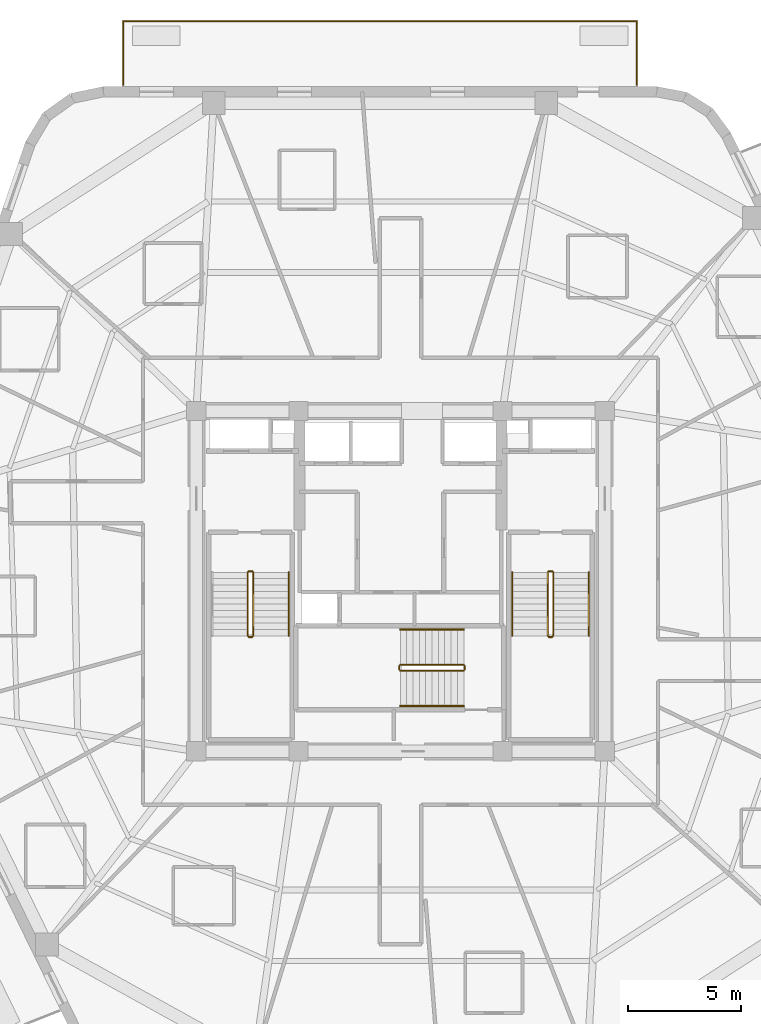
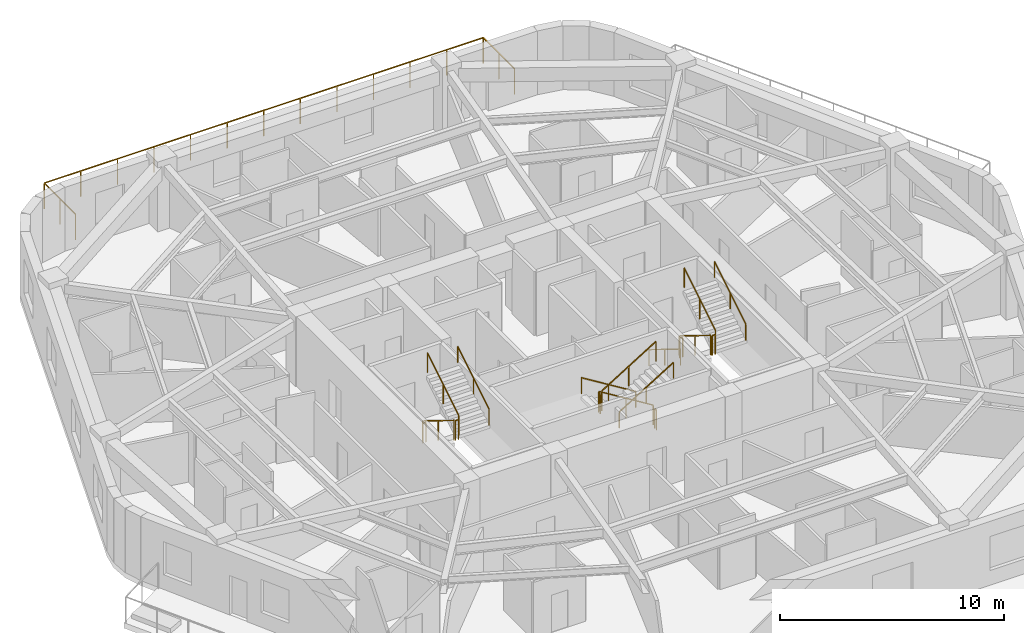
# One storey, part 9 of 10: 18 railings.
"""IFC4 building model written with IfcOpenShell, lengths in metres."""

from ifc_helpers import new_model, si_unit, direction, frame, origin, origin_2d, place, context, subcontext, project, spatial, rectangle, extrude, material, layer, layer_set, type_object, element, save


model = new_model("IFC4")

# Units and contexts
model_context = context("Model", 3, precision=1e-05, world=origin(), true_north=direction((0.0, 1.0)))
body_context = subcontext(model_context, "Body", "Model", "MODEL_VIEW")
ifc_project = project(units=[si_unit("LENGTHUNIT", "METRE"), si_unit("AREAUNIT", "SQUARE_METRE"), si_unit("VOLUMEUNIT", "CUBIC_METRE"), si_unit("PLANEANGLEUNIT", "RADIAN"), si_unit("MASSUNIT", "GRAM", prefix="KILO")], contexts=[model_context])

# Site, building, storey
site_placement = place(None, origin())
site = spatial("IfcSite", under=ifc_project, at=site_placement, CompositionType="ELEMENT")
building_placement = place(site_placement, origin())
building = spatial("IfcBuilding", under=site, at=building_placement, Name="Kilnhurst Terrace Hotel", CompositionType="ELEMENT")
storey_placement = place(building_placement, frame((0.0, 0.0, 252.10009765625)))
storey = spatial("IfcBuildingStorey", under=building, at=storey_placement, Name="L63", CompositionType="ELEMENT", Elevation=252.10009765625)

# Railings
ifc_material_1 = material(Name="Laminated SentryGlas and Stainless Steel AISI 316L Balustrade", Category="steel")
ifc_layer_1 = layer(ifc_material_1, 0.070068359375, Name="Laminated SentryGlas and Stainless Steel AISI 316L Balustrade")
ifc_layer_set_1 = layer_set([ifc_layer_1], Name="Laminated SentryGlas and Stainless Steel AISI 316L Balustrade")
railing_type_1 = type_object("IfcRailingType", Name="RLG-BAL-1420", PredefinedType="BALUSTRADE", material=ifc_layer_set_1)
railing_1_placement = place(storey_placement, frame((-12.21484375, 21.8798828125, 0.0)))
element("IfcRailing", 1, at=railing_1_placement, inside=storey, type_object=railing_type_1, Name="L63 Exterior Terrace Guardrail BAL-L1B.1", PredefinedType="BALUSTRADE", context=body_context, shape_type="SweptSolid", body=[
    extrude(rectangle(XDim=0.048095703125, YDim=0.048095703125, at=origin_2d()), frame((0.0, 0.0, 1.39599609375), z_axis=(0.0, 1.0, 0.0), x_axis=(-1.0, 0.0, 0.0)), (0.0, 0.0, 1.0), 2.800048828125),
    extrude(rectangle(XDim=0.048095703125, YDim=0.048095703125, at=origin_2d()), frame((0.0, 2.800048828125, 1.39599609375), z_axis=(1.0, 0.0, 0.0), x_axis=(0.0, 1.0, 0.0)), (0.0, 0.0, 1.0), 22.62353515625),
    extrude(rectangle(XDim=0.048095703125, YDim=0.048095703125, at=origin_2d()), frame((22.62353515625, 2.800048828125, 1.39599609375), z_axis=(0.0, -1.0, 0.0), x_axis=(1.0, 0.0, 0.0)), (0.0, 0.0, 1.0), 2.800048828125),
    extrude(rectangle(XDim=0.0419921875, YDim=0.0419921875, at=origin_2d()), origin(), (0.0, 0.0, 1.0), 1.371826171875),
    extrude(rectangle(XDim=0.0419921875, YDim=0.0419921875, at=origin_2d()), frame((0.0, 1.39990234375, 0.0)), (0.0, 0.0, 1.0), 1.371826171875),
    extrude(rectangle(XDim=0.0419921875, YDim=0.0419921875, at=origin_2d()), frame((0.0, 2.800048828125, 0.0)), (0.0, 0.0, 1.0), 1.371826171875),
    extrude(rectangle(XDim=0.0419921875, YDim=0.0419921875, at=origin_2d()), frame((1.88525390625, 2.800048828125, 0.0)), (0.0, 0.0, 1.0), 1.371826171875),
    extrude(rectangle(XDim=0.0419921875, YDim=0.0419921875, at=origin_2d()), frame((3.7705078125, 2.800048828125, 0.0)), (0.0, 0.0, 1.0), 1.371826171875),
    extrude(rectangle(XDim=0.0419921875, YDim=0.0419921875, at=origin_2d()), frame((5.65576171875, 2.800048828125, 0.0)), (0.0, 0.0, 1.0), 1.371826171875),
    extrude(rectangle(XDim=0.0419921875, YDim=0.0419921875, at=origin_2d()), frame((7.541259765625, 2.800048828125, 0.0)), (0.0, 0.0, 1.0), 1.371826171875),
    extrude(rectangle(XDim=0.0419921875, YDim=0.0419921875, at=origin_2d()), frame((9.426513671875, 2.800048828125, 0.0)), (0.0, 0.0, 1.0), 1.371826171875),
    extrude(rectangle(XDim=0.0419921875, YDim=0.0419921875, at=origin_2d()), frame((11.311767578125, 2.800048828125, 0.0)), (0.0, 0.0, 1.0), 1.371826171875),
    extrude(rectangle(XDim=0.0419921875, YDim=0.0419921875, at=origin_2d()), frame((13.197021484375, 2.800048828125, 0.0)), (0.0, 0.0, 1.0), 1.371826171875),
    extrude(rectangle(XDim=0.0419921875, YDim=0.0419921875, at=origin_2d()), frame((15.082275390625, 2.800048828125, 0.0)), (0.0, 0.0, 1.0), 1.371826171875),
    extrude(rectangle(XDim=0.0419921875, YDim=0.0419921875, at=origin_2d()), frame((16.9677734375, 2.800048828125, 0.0)), (0.0, 0.0, 1.0), 1.371826171875),
    extrude(rectangle(XDim=0.0419921875, YDim=0.0419921875, at=origin_2d()), frame((18.85302734375, 2.800048828125, 0.0)), (0.0, 0.0, 1.0), 1.371826171875),
    extrude(rectangle(XDim=0.0419921875, YDim=0.0419921875, at=origin_2d()), frame((20.73828125, 2.800048828125, 0.0)), (0.0, 0.0, 1.0), 1.371826171875),
    extrude(rectangle(XDim=0.0419921875, YDim=0.0419921875, at=origin_2d()), frame((22.62353515625, 2.800048828125, 0.0)), (0.0, 0.0, 1.0), 1.371826171875),
    extrude(rectangle(XDim=0.0419921875, YDim=0.0419921875, at=origin_2d()), frame((22.62353515625, 1.39990234375, 0.0)), (0.0, 0.0, 1.0), 1.371826171875),
    extrude(rectangle(XDim=0.0419921875, YDim=0.0419921875, at=origin_2d()), frame((22.62353515625, 0.0, 0.0)), (0.0, 0.0, 1.0), 1.371826171875),
])
ifc_material_2 = material(Name="Powder-Coated Steel ASTM A500 Grade B", Category="steel")
ifc_layer_2 = layer(ifc_material_2, 0.050048828125, Name="Powder-Coated Steel ASTM A500 Grade B")
ifc_layer_set_2 = layer_set([ifc_layer_2], Name="Powder-Coated Steel ASTM A500 Grade B")
railing_type_2 = type_object("IfcRailingType", Name="RLG-ST-GRD-1100", PredefinedType="GUARDRAIL", material=ifc_layer_set_2)
railing_2_placement = place(storey_placement, frame((-6.739990234375, 0.389892578125, 0.172607421875)))
element("IfcRailing", 2, at=railing_2_placement, inside=storey, type_object=railing_type_2, Name="L63 ST-1 stair guard 1", PredefinedType="GUARDRAIL", context=body_context, shape_type="SweptSolid", body=[
    extrude(rectangle(XDim=0.048095703125, YDim=0.048095703125, at=origin_2d()), frame((0.0, 0.0, 1.076171875), z_axis=(0.0, -0.851069175582, 0.525053576669), x_axis=(1.0, 0.0, 0.0)), (0.0, 0.0, 1.0), 3.289794921875),
    extrude(rectangle(XDim=0.0419921875, YDim=0.0419921875, at=origin_2d()), origin(), (0.0, 0.0, 1.0), 1.052001953125),
    extrude(rectangle(XDim=0.0419921875, YDim=0.0419921875, at=origin_2d()), frame((0.0, -1.39990234375, 0.86376953125)), (0.0, 0.0, 1.0), 1.052001953125),
    extrude(rectangle(XDim=0.0419921875, YDim=0.0419921875, at=origin_2d()), frame((0.0, -2.7998046875, 1.727294921875)), (0.0, 0.0, 1.0), 1.052001953125),
])
railing_3_placement = place(storey_placement, frame((-6.68994140625, -2.4599609375, 1.89990234375)))
element("IfcRailing", 3, at=railing_3_placement, inside=storey, type_object=railing_type_2, Name="L63 ST-1 stair guard 2", PredefinedType="GUARDRAIL", context=body_context, shape_type="SweptSolid", body=[
    extrude(rectangle(XDim=0.048095703125, YDim=0.048095703125, at=origin_2d()), frame((0.0, 0.0, 1.076171875), z_axis=(1.0, 0.0, 0.0), x_axis=(0.0, 1.0, 0.0)), (0.0, 0.0, 1.0), 0.14990234375),
    extrude(rectangle(XDim=0.0419921875, YDim=0.0419921875, at=origin_2d()), origin(), (0.0, 0.0, 1.0), 1.052001953125),
    extrude(rectangle(XDim=0.0419921875, YDim=0.0419921875, at=origin_2d()), frame((0.14990234375, 0.0, 0.0)), (0.0, 0.0, 1.0), 1.052001953125),
])
railing_4_placement = place(storey_placement, frame((-6.489990234375, -2.409912109375, 2.072509765625)))
element("IfcRailing", 4, at=railing_4_placement, inside=storey, type_object=railing_type_2, Name="L63 ST-1 stair guard 3", PredefinedType="GUARDRAIL", context=body_context, shape_type="SweptSolid", body=[
    extrude(rectangle(XDim=0.048095703125, YDim=0.048095703125, at=origin_2d()), frame((0.0, 0.0, 1.076171875), z_axis=(0.0, 0.851069175582, 0.525053576669), x_axis=(-1.0, 0.0, 0.0)), (0.0, 0.0, 1.0), 3.289794921875),
    extrude(rectangle(XDim=0.0419921875, YDim=0.0419921875, at=origin_2d()), origin(), (0.0, 0.0, 1.0), 1.052001953125),
    extrude(rectangle(XDim=0.0419921875, YDim=0.0419921875, at=origin_2d()), frame((0.0, 1.39990234375, 0.86376953125)), (0.0, 0.0, 1.0), 1.052001953125),
    extrude(rectangle(XDim=0.0419921875, YDim=0.0419921875, at=origin_2d()), frame((0.0, 2.7998046875, 1.727294921875)), (0.0, 0.0, 1.0), 1.052001953125),
])
railing_5_placement = place(storey_placement, frame((-6.68994140625, 0.43994140625, 0.0)))
element("IfcRailing", 5, at=railing_5_placement, inside=storey, type_object=railing_type_2, Name="L63 ST-1 stair guard 4", PredefinedType="GUARDRAIL", context=body_context, shape_type="SweptSolid", body=[
    extrude(rectangle(XDim=0.048095703125, YDim=0.048095703125, at=origin_2d()), frame((0.0, 0.0, 1.076171875), z_axis=(1.0, 0.0, 0.0), x_axis=(0.0, 1.0, 0.0)), (0.0, 0.0, 1.0), 0.14990234375),
    extrude(rectangle(XDim=0.0419921875, YDim=0.0419921875, at=origin_2d()), origin(), (0.0, 0.0, 1.0), 1.052001953125),
    extrude(rectangle(XDim=0.0419921875, YDim=0.0419921875, at=origin_2d()), frame((0.14990234375, 0.0, 0.0)), (0.0, 0.0, 1.0), 1.052001953125),
])
railing_6_placement = place(storey_placement, frame((6.489990234375, 0.389892578125, 0.172607421875)))
element("IfcRailing", 6, at=railing_6_placement, inside=storey, type_object=railing_type_2, Name="L63 ST-2 stair guard 1", PredefinedType="GUARDRAIL", context=body_context, shape_type="SweptSolid", body=[
    extrude(rectangle(XDim=0.048095703125, YDim=0.048095703125, at=origin_2d()), frame((0.0, 0.0, 1.076171875), z_axis=(0.0, -0.851069175582, 0.525053576669), x_axis=(1.0, 0.0, 0.0)), (0.0, 0.0, 1.0), 3.289794921875),
    extrude(rectangle(XDim=0.0419921875, YDim=0.0419921875, at=origin_2d()), origin(), (0.0, 0.0, 1.0), 1.052001953125),
    extrude(rectangle(XDim=0.0419921875, YDim=0.0419921875, at=origin_2d()), frame((0.0, -1.39990234375, 0.86376953125)), (0.0, 0.0, 1.0), 1.052001953125),
    extrude(rectangle(XDim=0.0419921875, YDim=0.0419921875, at=origin_2d()), frame((0.0, -2.7998046875, 1.727294921875)), (0.0, 0.0, 1.0), 1.052001953125),
])
railing_7_placement = place(storey_placement, frame((6.5400390625, -2.4599609375, 1.89990234375)))
element("IfcRailing", 7, at=railing_7_placement, inside=storey, type_object=railing_type_2, Name="L63 ST-2 stair guard 2", PredefinedType="GUARDRAIL", context=body_context, shape_type="SweptSolid", body=[
    extrude(rectangle(XDim=0.048095703125, YDim=0.048095703125, at=origin_2d()), frame((0.0, 0.0, 1.076171875), z_axis=(1.0, 0.0, 0.0), x_axis=(0.0, 1.0, 0.0)), (0.0, 0.0, 1.0), 0.14990234375),
    extrude(rectangle(XDim=0.0419921875, YDim=0.0419921875, at=origin_2d()), origin(), (0.0, 0.0, 1.0), 1.052001953125),
    extrude(rectangle(XDim=0.0419921875, YDim=0.0419921875, at=origin_2d()), frame((0.14990234375, 0.0, 0.0)), (0.0, 0.0, 1.0), 1.052001953125),
])
railing_8_placement = place(storey_placement, frame((6.739990234375, -2.409912109375, 2.072509765625)))
element("IfcRailing", 8, at=railing_8_placement, inside=storey, type_object=railing_type_2, Name="L63 ST-2 stair guard 3", PredefinedType="GUARDRAIL", context=body_context, shape_type="SweptSolid", body=[
    extrude(rectangle(XDim=0.048095703125, YDim=0.048095703125, at=origin_2d()), frame((0.0, 0.0, 1.076171875), z_axis=(0.0, 0.851069175582, 0.525053576669), x_axis=(-1.0, 0.0, 0.0)), (0.0, 0.0, 1.0), 3.289794921875),
    extrude(rectangle(XDim=0.0419921875, YDim=0.0419921875, at=origin_2d()), origin(), (0.0, 0.0, 1.0), 1.052001953125),
    extrude(rectangle(XDim=0.0419921875, YDim=0.0419921875, at=origin_2d()), frame((0.0, 1.39990234375, 0.86376953125)), (0.0, 0.0, 1.0), 1.052001953125),
    extrude(rectangle(XDim=0.0419921875, YDim=0.0419921875, at=origin_2d()), frame((0.0, 2.7998046875, 1.727294921875)), (0.0, 0.0, 1.0), 1.052001953125),
])
railing_9_placement = place(storey_placement, frame((6.5400390625, 0.43994140625, 0.0)))
element("IfcRailing", 9, at=railing_9_placement, inside=storey, type_object=railing_type_2, Name="L63 ST-2 stair guard 4", PredefinedType="GUARDRAIL", context=body_context, shape_type="SweptSolid", body=[
    extrude(rectangle(XDim=0.048095703125, YDim=0.048095703125, at=origin_2d()), frame((0.0, 0.0, 1.076171875), z_axis=(1.0, 0.0, 0.0), x_axis=(0.0, 1.0, 0.0)), (0.0, 0.0, 1.0), 0.14990234375),
    extrude(rectangle(XDim=0.0419921875, YDim=0.0419921875, at=origin_2d()), origin(), (0.0, 0.0, 1.0), 1.052001953125),
    extrude(rectangle(XDim=0.0419921875, YDim=0.0419921875, at=origin_2d()), frame((0.14990234375, 0.0, 0.0)), (0.0, 0.0, 1.0), 1.052001953125),
])
railing_10_placement = place(storey_placement, frame((2.7900390625, -3.68994140625, 0.172607421875)))
element("IfcRailing", 10, at=railing_10_placement, inside=storey, type_object=railing_type_2, Name="L63 ST-3 stair guard 1", PredefinedType="GUARDRAIL", context=body_context, shape_type="SweptSolid", body=[
    extrude(rectangle(XDim=0.048095703125, YDim=0.048095703125, at=origin_2d()), frame((0.0, 0.0, 1.076171875), z_axis=(-0.851089632645, 0.0, 0.525020415988), x_axis=(0.0, -1.0, 0.0)), (0.0, 0.0, 1.0), 3.2900390625),
    extrude(rectangle(XDim=0.0419921875, YDim=0.0419921875, at=origin_2d()), origin(), (0.0, 0.0, 1.0), 1.052001953125),
    extrude(rectangle(XDim=0.0419921875, YDim=0.0419921875, at=origin_2d()), frame((-1.39990234375, 0.0, 0.86376953125)), (0.0, 0.0, 1.0), 1.052001953125),
    extrude(rectangle(XDim=0.0419921875, YDim=0.0419921875, at=origin_2d()), frame((-2.800048828125, 0.0, 1.727294921875)), (0.0, 0.0, 1.0), 1.052001953125),
])
railing_11_placement = place(storey_placement, frame((-0.06005859375, -3.739990234375, 1.89990234375)))
element("IfcRailing", 11, at=railing_11_placement, inside=storey, type_object=railing_type_2, Name="L63 ST-3 stair guard 2", PredefinedType="GUARDRAIL", context=body_context, shape_type="SweptSolid", body=[
    extrude(rectangle(XDim=0.048095703125, YDim=0.048095703125, at=origin_2d()), frame((0.0, 0.0, 1.076171875), z_axis=(0.0, -1.0, 0.0), x_axis=(1.0, 0.0, 0.0)), (0.0, 0.0, 1.0), 0.14990234375),
    extrude(rectangle(XDim=0.0419921875, YDim=0.0419921875, at=origin_2d()), origin(), (0.0, 0.0, 1.0), 1.052001953125),
    extrude(rectangle(XDim=0.0419921875, YDim=0.0419921875, at=origin_2d()), frame((0.0, -0.14990234375, 0.0)), (0.0, 0.0, 1.0), 1.052001953125),
])
railing_12_placement = place(storey_placement, frame((-0.010009765625, -3.93994140625, 2.072509765625)))
element("IfcRailing", 12, at=railing_12_placement, inside=storey, type_object=railing_type_2, Name="L63 ST-3 stair guard 3", PredefinedType="GUARDRAIL", context=body_context, shape_type="SweptSolid", body=[
    extrude(rectangle(XDim=0.048095703125, YDim=0.048095703125, at=origin_2d()), frame((0.0, 0.0, 1.076171875), z_axis=(0.851089632645, 0.0, 0.525020415988), x_axis=(0.0, 1.0, 0.0)), (0.0, 0.0, 1.0), 3.2900390625),
    extrude(rectangle(XDim=0.0419921875, YDim=0.0419921875, at=origin_2d()), origin(), (0.0, 0.0, 1.0), 1.052001953125),
    extrude(rectangle(XDim=0.0419921875, YDim=0.0419921875, at=origin_2d()), frame((1.39990234375, 0.0, 0.86376953125)), (0.0, 0.0, 1.0), 1.052001953125),
    extrude(rectangle(XDim=0.0419921875, YDim=0.0419921875, at=origin_2d()), frame((2.800048828125, 0.0, 1.727294921875)), (0.0, 0.0, 1.0), 1.052001953125),
])
railing_13_placement = place(storey_placement, frame((2.840087890625, -3.739990234375, 0.0)))
element("IfcRailing", 13, at=railing_13_placement, inside=storey, type_object=railing_type_2, Name="L63 ST-3 stair guard 4", PredefinedType="GUARDRAIL", context=body_context, shape_type="SweptSolid", body=[
    extrude(rectangle(XDim=0.048095703125, YDim=0.048095703125, at=origin_2d()), frame((0.0, 0.0, 1.076171875), z_axis=(0.0, -1.0, 0.0), x_axis=(1.0, 0.0, 0.0)), (0.0, 0.0, 1.0), 0.14990234375),
    extrude(rectangle(XDim=0.0419921875, YDim=0.0419921875, at=origin_2d()), origin(), (0.0, 0.0, 1.0), 1.052001953125),
    extrude(rectangle(XDim=0.0419921875, YDim=0.0419921875, at=origin_2d()), frame((0.0, -0.14990234375, 0.0)), (0.0, 0.0, 1.0), 1.052001953125),
])
ifc_material_3 = material(Name="Brushed Stainless Steel AISI 304", Category="steel")
ifc_layer_3 = layer(ifc_material_3, 0.048095703125, Name="Brushed Stainless Steel AISI 304")
ifc_layer_set_3 = layer_set([ifc_layer_3], Name="Brushed Stainless Steel AISI 304")
railing_type_3 = type_object("IfcRailingType", Name="RLG-ST-HRL-900", PredefinedType="HANDRAIL", material=ifc_layer_set_3)
railing_14_placement = place(storey_placement, frame((-4.929931640625, -2.409912109375, 2.072509765625)))
element("IfcRailing", 14, at=railing_14_placement, inside=storey, type_object=railing_type_3, Name="L63 ST-1 stair handrail 2", PredefinedType="HANDRAIL", context=body_context, shape_type="SweptSolid", body=[
    extrude(rectangle(XDim=0.048095703125, YDim=0.048095703125, at=origin_2d()), frame((0.0, 0.0, 0.8759765625), z_axis=(0.0, 0.851069175582, 0.525053576669), x_axis=(-1.0, 0.0, 0.0)), (0.0, 0.0, 1.0), 3.289794921875),
    extrude(rectangle(XDim=0.0419921875, YDim=0.0419921875, at=origin_2d()), origin(), (0.0, 0.0, 1.0), 0.851806640625),
    extrude(rectangle(XDim=0.0419921875, YDim=0.0419921875, at=origin_2d()), frame((0.0, 1.39990234375, 0.86376953125)), (0.0, 0.0, 1.0), 0.851806640625),
    extrude(rectangle(XDim=0.0419921875, YDim=0.0419921875, at=origin_2d()), frame((0.0, 2.7998046875, 1.727294921875)), (0.0, 0.0, 1.0), 0.851806640625),
])
railing_15_placement = place(storey_placement, frame((4.929931640625, 0.389892578125, 0.172607421875)))
element("IfcRailing", 15, at=railing_15_placement, inside=storey, type_object=railing_type_3, Name="L63 ST-2 stair handrail 1", PredefinedType="HANDRAIL", context=body_context, shape_type="SweptSolid", body=[
    extrude(rectangle(XDim=0.048095703125, YDim=0.048095703125, at=origin_2d()), frame((0.0, 0.0, 0.8759765625), z_axis=(0.0, -0.851069175582, 0.525053576669), x_axis=(1.0, 0.0, 0.0)), (0.0, 0.0, 1.0), 3.289794921875),
    extrude(rectangle(XDim=0.0419921875, YDim=0.0419921875, at=origin_2d()), origin(), (0.0, 0.0, 1.0), 0.851806640625),
    extrude(rectangle(XDim=0.0419921875, YDim=0.0419921875, at=origin_2d()), frame((0.0, -1.39990234375, 0.86376953125)), (0.0, 0.0, 1.0), 0.851806640625),
    extrude(rectangle(XDim=0.0419921875, YDim=0.0419921875, at=origin_2d()), frame((0.0, -2.7998046875, 1.727294921875)), (0.0, 0.0, 1.0), 0.851806640625),
])
railing_16_placement = place(storey_placement, frame((8.300048828125, -2.409912109375, 2.072509765625)))
element("IfcRailing", 16, at=railing_16_placement, inside=storey, type_object=railing_type_3, Name="L63 ST-2 stair handrail 2", PredefinedType="HANDRAIL", context=body_context, shape_type="SweptSolid", body=[
    extrude(rectangle(XDim=0.048095703125, YDim=0.048095703125, at=origin_2d()), frame((0.0, 0.0, 0.8759765625), z_axis=(0.0, 0.851069175582, 0.525053576669), x_axis=(-1.0, 0.0, 0.0)), (0.0, 0.0, 1.0), 3.289794921875),
    extrude(rectangle(XDim=0.0419921875, YDim=0.0419921875, at=origin_2d()), origin(), (0.0, 0.0, 1.0), 0.851806640625),
    extrude(rectangle(XDim=0.0419921875, YDim=0.0419921875, at=origin_2d()), frame((0.0, 1.39990234375, 0.86376953125)), (0.0, 0.0, 1.0), 0.851806640625),
    extrude(rectangle(XDim=0.0419921875, YDim=0.0419921875, at=origin_2d()), frame((0.0, 2.7998046875, 1.727294921875)), (0.0, 0.0, 1.0), 0.851806640625),
])
railing_17_placement = place(storey_placement, frame((2.7900390625, -2.1298828125, 0.172607421875)))
element("IfcRailing", 17, at=railing_17_placement, inside=storey, type_object=railing_type_3, Name="L63 ST-3 stair handrail 1", PredefinedType="HANDRAIL", context=body_context, shape_type="SweptSolid", body=[
    extrude(rectangle(XDim=0.048095703125, YDim=0.048095703125, at=origin_2d()), frame((0.0, 0.0, 0.8759765625), z_axis=(-0.851089632645, 0.0, 0.525020415988), x_axis=(0.0, -1.0, 0.0)), (0.0, 0.0, 1.0), 3.2900390625),
    extrude(rectangle(XDim=0.0419921875, YDim=0.0419921875, at=origin_2d()), origin(), (0.0, 0.0, 1.0), 0.851806640625),
    extrude(rectangle(XDim=0.0419921875, YDim=0.0419921875, at=origin_2d()), frame((-1.39990234375, 0.0, 0.86376953125)), (0.0, 0.0, 1.0), 0.851806640625),
    extrude(rectangle(XDim=0.0419921875, YDim=0.0419921875, at=origin_2d()), frame((-2.800048828125, 0.0, 1.727294921875)), (0.0, 0.0, 1.0), 0.851806640625),
])
railing_18_placement = place(storey_placement, frame((-0.010009765625, -5.5, 2.072509765625)))
element("IfcRailing", 18, at=railing_18_placement, inside=storey, type_object=railing_type_3, Name="L63 ST-3 stair handrail 2", PredefinedType="HANDRAIL", context=body_context, shape_type="SweptSolid", body=[
    extrude(rectangle(XDim=0.048095703125, YDim=0.048095703125, at=origin_2d()), frame((0.0, 0.0, 0.8759765625), z_axis=(0.851089632645, 0.0, 0.525020415988), x_axis=(0.0, 1.0, 0.0)), (0.0, 0.0, 1.0), 3.2900390625),
    extrude(rectangle(XDim=0.0419921875, YDim=0.0419921875, at=origin_2d()), origin(), (0.0, 0.0, 1.0), 0.851806640625),
    extrude(rectangle(XDim=0.0419921875, YDim=0.0419921875, at=origin_2d()), frame((1.39990234375, 0.0, 0.86376953125)), (0.0, 0.0, 1.0), 0.851806640625),
    extrude(rectangle(XDim=0.0419921875, YDim=0.0419921875, at=origin_2d()), frame((2.800048828125, 0.0, 1.727294921875)), (0.0, 0.0, 1.0), 0.851806640625),
])

save(model, "model.ifc")
